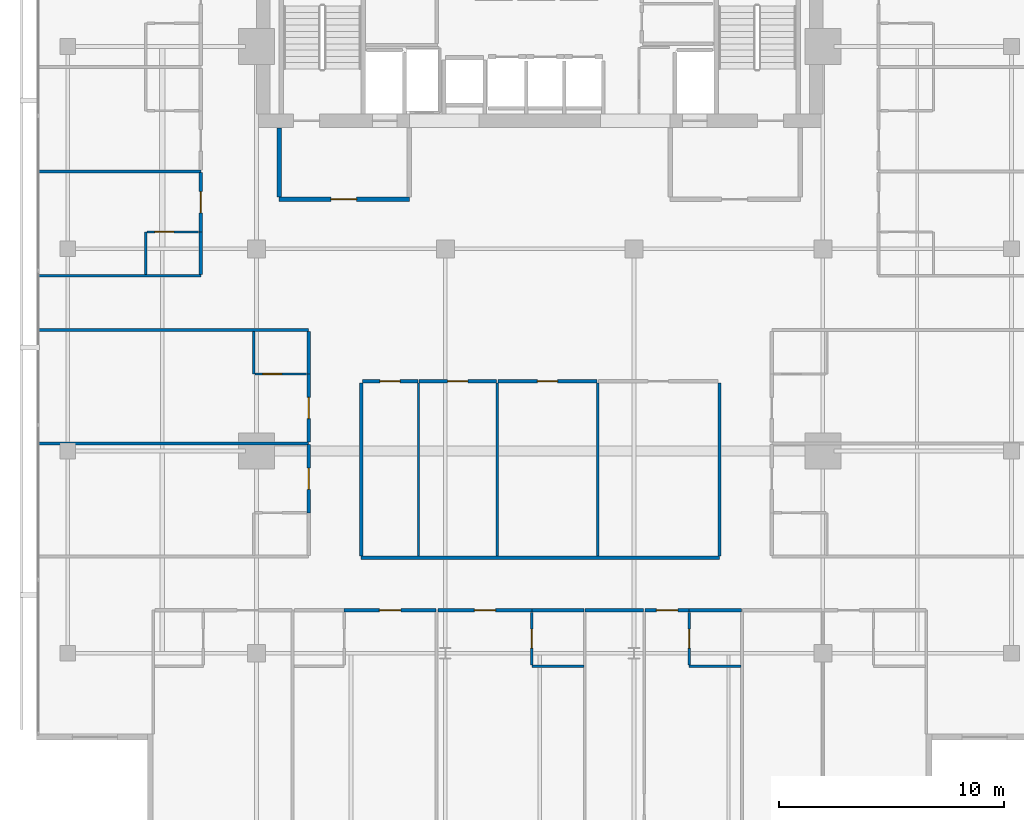
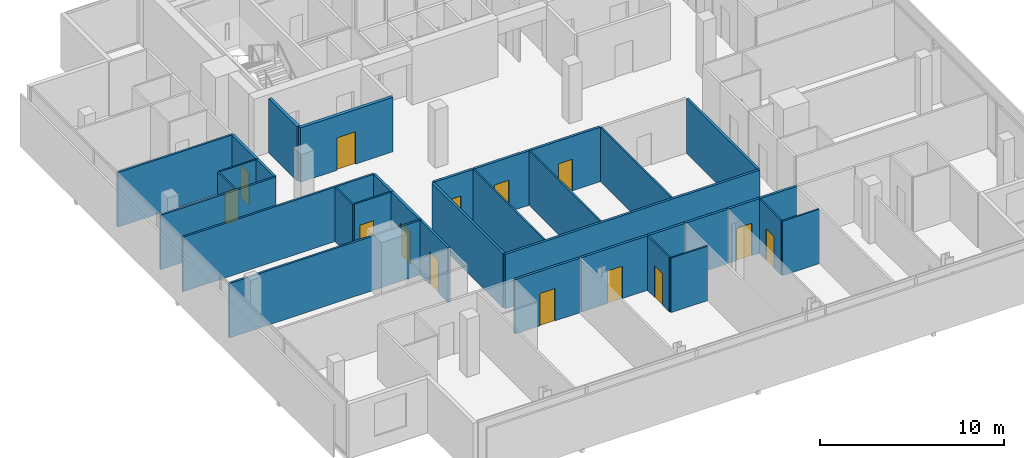
# One storey, part 20 of 26: 34 walls, 14 doors, 14 openings.
"""IFC4 building model written with IfcOpenShell, lengths in metres."""

from ifc_helpers import new_model, si_unit, direction, frame, frame_2d, origin, place, context, subcontext, project, spatial, rectangle, extrude, material, layer, layer_set, type_object, element, fill, save


model = new_model("IFC4")

# Units and contexts
model_context = context("Model", 3, precision=1e-05, world=origin(), true_north=direction((0.0, 1.0)))
body_context = subcontext(model_context, "Body", "Model", "MODEL_VIEW")
ifc_project = project(units=[si_unit("LENGTHUNIT", "METRE"), si_unit("AREAUNIT", "SQUARE_METRE"), si_unit("VOLUMEUNIT", "CUBIC_METRE"), si_unit("PLANEANGLEUNIT", "RADIAN"), si_unit("MASSUNIT", "GRAM", prefix="KILO")], contexts=[model_context])

# Site, building, storey
site_placement = place(None, origin())
site = spatial("IfcSite", under=ifc_project, at=site_placement, CompositionType="ELEMENT")
building_placement = place(site_placement, origin())
building = spatial("IfcBuilding", under=site, at=building_placement, Name="Maruvema Waterfront Hotel and Observation Tower", CompositionType="ELEMENT")
storey_placement = place(building_placement, frame((0.0, 0.0, 285.60009765625)))
storey = spatial("IfcBuildingStorey", under=building, at=storey_placement, Name="L70", CompositionType="ELEMENT", Elevation=285.60009765625)

# Walls
ifc_material_1 = material(Name="Twin-stud acoustic gypsum drywall", Category="gypsum")
ifc_layer_1 = layer(ifc_material_1, 0.14990234375, Name="Acoustic Corridor and Suite Demising Wall 150 mm")
ifc_layer_set_1 = layer_set([ifc_layer_1], Name="Twin-stud acoustic gypsum drywall")
wall_type_1 = type_object("IfcWallType", Name="Acoustic Corridor and Suite Demising Wall 150 mm", PredefinedType="PARTITIONING", material=ifc_layer_set_1)
wall_1_placement = place(storey_placement, frame((29.85009765625, 22.25, 0.0), z_axis=(0.0, 0.0, 1.0), x_axis=(1.0, 0.0, 0.0)))
element("IfcWall", 1, at=wall_1_placement, inside=storey, type_object=wall_type_1, Name="L70 L70-Z3M Back Wall 021", PredefinedType="PARTITIONING", context=body_context, shape_type="SweptSolid", body=[
    extrude(rectangle(XDim=15.949951171875, YDim=0.14990234375, at=frame_2d((7.97509765625, 0.0))), origin(), (0.0, 0.0, 1.0), 3.60986328125),
])
for number, where, z_axis, x_axis, name in (
    (2, (29.85009765625, 22.330078125, 0.0), (0.0, 0.0, 1.0), (0.0, 1.0, 0.0), "L70 L70-Z3M West Wall 022"),
    (3, (45.800048828125, 22.330078125, 0.0), (0.0, 0.0, 1.0), (0.0, 1.0, 0.0), "L70 L70-Z3M East Wall 023"),
):
    element("IfcWall", number, at=place(storey_placement, frame(where, z_axis=z_axis, x_axis=x_axis)), inside=storey, type_object=wall_type_1, Name=name, PredefinedType="PARTITIONING", context=body_context, shape_type="SweptSolid", body=[
        extrude(rectangle(XDim=7.68994140625, YDim=0.14990234375, at=frame_2d((3.844970703125, 0.0))), origin(), (0.0, 0.0, 1.0), 3.60986328125),
    ])

# Wall, opening, door
wall_2_placement = place(storey_placement, frame((29.909912109375, 30.10009765625, 0.0), z_axis=(0.0, 0.0, 1.0), x_axis=(1.0, 0.0, 0.0)))
wall_2 = element("IfcWall", 4, at=wall_2_placement, inside=storey, type_object=wall_type_1, Name="L70 L70-Z3M Front 1 024", PredefinedType="PARTITIONING", context=body_context, shape_type="SweptSolid", body=[
    extrude(rectangle(XDim=2.462158203125, YDim=0.14990234375, at=frame_2d((1.23095703125, 0.0))), origin(), (0.0, 0.0, 1.0), 3.60986328125),
])
opening_1_placement = place(wall_2_placement, frame((0.781005859375, 0.0, 0.0)))
opening_1 = element("IfcOpeningElement", 5, at=opening_1_placement, cuts=wall_2, Name="Opening DR-090", PredefinedType="OPENING", context=body_context, shape_type="SweptSolid", body=[
    extrude(rectangle(XDim=0.89990234375, YDim=2.10009765625, at=frame_2d((0.449951171875, 1.050048828125))), frame((0.0, 0.0849609375, 0.0), z_axis=(0.0, -1.0, 0.0), x_axis=(1.0, 0.0, 0.0)), (0.0, 0.0, 1.0), 0.169921875),
])
ifc_material_2 = material(Name="Solid-core lacquered timber leaf", Category="wood")
door_type_1 = type_object("IfcDoorType", Name="Accessible Toilet and Room Door 900x2100 mm", OperationType="NOTDEFINED", PredefinedType="DOOR", material=ifc_material_2)
door_1_placement = place(opening_1_placement, origin())
door_1 = element("IfcDoor", 6, at=door_1_placement, inside=storey, type_object=door_type_1, Name="L70 Horizon Lounge 1 Door", OperationType="SINGLE_SWING_RIGHT", OverallHeight=2.10009765625, OverallWidth=0.89990234375, PredefinedType="DOOR", context=body_context, shape_type="SweptSolid", body=[
    extrude(rectangle(XDim=0.89990234375, YDim=2.10009765625, at=frame_2d((0.449951171875, 1.050048828125))), frame((0.0, 0.02490234375, 0.0), z_axis=(0.0, -1.0, 0.0), x_axis=(1.0, 0.0, 0.0)), (0.0, 0.0, 1.0), 0.050048828125),
])
fill(opening_1, door_1)

wall_3_placement = place(storey_placement, frame((32.431884765625, 30.10009765625, 0.0), z_axis=(0.0, 0.0, 1.0), x_axis=(1.0, 0.0, 0.0)))
wall_3 = element("IfcWall", 7, at=wall_3_placement, inside=storey, type_object=wall_type_1, Name="L70 L70-Z3M Front 2 026", PredefinedType="PARTITIONING", context=body_context, shape_type="SweptSolid", body=[
    extrude(rectangle(XDim=3.44921875, YDim=0.14990234375, at=frame_2d((1.724609375, 0.0))), origin(), (0.0, 0.0, 1.0), 3.60986328125),
])
opening_2_placement = place(wall_3_placement, frame((1.2744140625, 0.0, 0.0)))
opening_2 = element("IfcOpeningElement", 8, at=opening_2_placement, cuts=wall_3, Name="Opening DR-090", PredefinedType="OPENING", context=body_context, shape_type="SweptSolid", body=[
    extrude(rectangle(XDim=0.89990234375, YDim=2.10009765625, at=frame_2d((0.449951171875, 1.050048828125))), frame((0.0, 0.0849609375, 0.0), z_axis=(0.0, -1.0, 0.0), x_axis=(1.0, 0.0, 0.0)), (0.0, 0.0, 1.0), 0.169921875),
])
door_2_placement = place(opening_2_placement, origin())
door_2 = element("IfcDoor", 9, at=door_2_placement, inside=storey, type_object=door_type_1, Name="L70 Horizon Lounge 2 Door", OperationType="SINGLE_SWING_LEFT", OverallHeight=2.10009765625, OverallWidth=0.89990234375, PredefinedType="DOOR", context=body_context, shape_type="SweptSolid", body=[
    extrude(rectangle(XDim=0.89990234375, YDim=2.10009765625, at=frame_2d((0.449951171875, 1.050048828125))), frame((0.0, 0.02490234375, 0.0), z_axis=(0.0, -1.0, 0.0), x_axis=(1.0, 0.0, 0.0)), (0.0, 0.0, 1.0), 0.050048828125),
])
fill(opening_2, door_2)

wall_4_placement = place(storey_placement, frame((35.94091796875, 30.10009765625, 0.0), z_axis=(0.0, 0.0, 1.0), x_axis=(1.0, 0.0, 0.0)))
wall_4 = element("IfcWall", 10, at=wall_4_placement, inside=storey, type_object=wall_type_1, Name="L70 L70-Z3M Front 3 028", PredefinedType="PARTITIONING", context=body_context, shape_type="SweptSolid", body=[
    extrude(rectangle(XDim=4.406005859375, YDim=0.14990234375, at=frame_2d((2.203125, 0.0))), origin(), (0.0, 0.0, 1.0), 3.60986328125),
])
opening_3_placement = place(wall_4_placement, frame((1.7529296875, 0.0, 0.0)))
opening_3 = element("IfcOpeningElement", 11, at=opening_3_placement, cuts=wall_4, Name="Opening DR-090", PredefinedType="OPENING", context=body_context, shape_type="SweptSolid", body=[
    extrude(rectangle(XDim=0.89990234375, YDim=2.10009765625, at=frame_2d((0.449951171875, 1.050048828125))), frame((0.0, 0.0849609375, 0.0), z_axis=(0.0, -1.0, 0.0), x_axis=(1.0, 0.0, 0.0)), (0.0, 0.0, 1.0), 0.169921875),
])
door_3_placement = place(opening_3_placement, origin())
door_3 = element("IfcDoor", 12, at=door_3_placement, inside=storey, type_object=door_type_1, Name="L70 Horizon Lounge 3 Door", OperationType="SINGLE_SWING_RIGHT", OverallHeight=2.10009765625, OverallWidth=0.89990234375, PredefinedType="DOOR", context=body_context, shape_type="SweptSolid", body=[
    extrude(rectangle(XDim=0.89990234375, YDim=2.10009765625, at=frame_2d((0.449951171875, 1.050048828125))), frame((0.0, 0.02490234375, 0.0), z_axis=(0.0, -1.0, 0.0), x_axis=(1.0, 0.0, 0.0)), (0.0, 0.0, 1.0), 0.050048828125),
])
fill(opening_3, door_3)

wall_5_placement = place(storey_placement, frame((29.10009765625, 19.919921875, 0.0), z_axis=(0.0, 0.0, 1.0), x_axis=(1.0, 0.0, 0.0)))
wall_5 = element("IfcWall", 13, at=wall_5_placement, inside=storey, type_object=wall_type_1, Name="L70 Unit L70-S2 Corridor Wall 041", PredefinedType="PARTITIONING", context=body_context, shape_type="SweptSolid", body=[
    extrude(rectangle(XDim=4.079833984375, YDim=0.14990234375, at=frame_2d((2.0400390625, 0.0))), origin(), (0.0, 0.0, 1.0), 3.60986328125),
])
opening_4_placement = place(wall_5_placement, frame((1.56494140625, 0.0, 0.0)))
opening_4 = element("IfcOpeningElement", 14, at=opening_4_placement, cuts=wall_5, Name="Opening DR-095", PredefinedType="OPENING", context=body_context, shape_type="SweptSolid", body=[
    extrude(rectangle(XDim=0.949951171875, YDim=2.14990234375, at=frame_2d((0.47509765625, 1.074951171875))), frame((0.0, 0.0849609375, 0.0), z_axis=(0.0, -1.0, 0.0), x_axis=(1.0, 0.0, 0.0)), (0.0, 0.0, 1.0), 0.169921875),
])
ifc_material_3 = material(Name="Acoustic solid-core hardwood timber leaf", Category="wood")
door_type_2 = type_object("IfcDoorType", Name="Guestroom Entrance Fire Door 950x2150 mm", OperationType="NOTDEFINED", PredefinedType="DOOR", material=ifc_material_3)
door_4_placement = place(opening_4_placement, frame((0.949951171875, 0.0, 0.0), z_axis=(0.0, 0.0, 1.0), x_axis=(-1.0, 0.0, 0.0)))
door_4 = element("IfcDoor", 15, at=door_4_placement, inside=storey, type_object=door_type_2, Name="L70 Unit L70-S2 Entrance Door", OperationType="SINGLE_SWING_LEFT", OverallHeight=2.14990234375, OverallWidth=0.949951171875, PredefinedType="DOOR", context=body_context, shape_type="SweptSolid", body=[
    extrude(rectangle(XDim=0.949951171875, YDim=2.14990234375, at=frame_2d((0.47509765625, 1.074951171875))), frame((0.0, 0.02490234375, 0.0), z_axis=(0.0, -1.0, 0.0), x_axis=(1.0, 0.0, 0.0)), (0.0, 0.0, 1.0), 0.050048828125),
])
fill(opening_4, door_4)

# Wall
wall_6_placement = place(storey_placement, frame((37.449951171875, 19.919921875, 0.0), z_axis=(0.0, 0.0, 1.0), x_axis=(1.0, 0.0, 0.0)))
element("IfcWall", 16, at=wall_6_placement, inside=storey, type_object=wall_type_1, Name="L70 Bath L70-S3 Back Wall 043", PredefinedType="PARTITIONING", context=body_context, shape_type="SweptSolid", body=[
    extrude(rectangle(XDim=2.330078125, YDim=0.14990234375, at=frame_2d((1.1650390625, 0.0))), origin(), (0.0, 0.0, 1.0), 3.60986328125),
])

# Wall, opening, door
wall_7_placement = place(storey_placement, frame((33.280029296875, 19.919921875, 0.0), z_axis=(0.0, 0.0, 1.0), x_axis=(1.0, 0.0, 0.0)))
wall_7 = element("IfcWall", 17, at=wall_7_placement, inside=storey, type_object=wall_type_1, Name="L70 Unit L70-S3 Corridor Wall 046", PredefinedType="PARTITIONING", context=body_context, shape_type="SweptSolid", body=[
    extrude(rectangle(XDim=4.169921875, YDim=0.14990234375, at=frame_2d((2.0849609375, 0.0))), origin(), (0.0, 0.0, 1.0), 3.60986328125),
])
opening_5_placement = place(wall_7_placement, frame((1.610107421875, 0.0, 0.0)))
opening_5 = element("IfcOpeningElement", 18, at=opening_5_placement, cuts=wall_7, Name="Opening DR-095", PredefinedType="OPENING", context=body_context, shape_type="SweptSolid", body=[
    extrude(rectangle(XDim=0.949951171875, YDim=2.14990234375, at=frame_2d((0.47509765625, 1.074951171875))), frame((0.0, 0.0849609375, 0.0), z_axis=(0.0, -1.0, 0.0), x_axis=(1.0, 0.0, 0.0)), (0.0, 0.0, 1.0), 0.169921875),
])
door_5_placement = place(opening_5_placement, frame((0.949951171875, 0.0, 0.0), z_axis=(0.0, 0.0, 1.0), x_axis=(-1.0, 0.0, 0.0)))
door_5 = element("IfcDoor", 19, at=door_5_placement, inside=storey, type_object=door_type_2, Name="L70 Unit L70-S3 Entrance Door", OperationType="SINGLE_SWING_LEFT", OverallHeight=2.14990234375, OverallWidth=0.949951171875, PredefinedType="DOOR", context=body_context, shape_type="SweptSolid", body=[
    extrude(rectangle(XDim=0.949951171875, YDim=2.14990234375, at=frame_2d((0.47509765625, 1.074951171875))), frame((0.0, 0.02490234375, 0.0), z_axis=(0.0, -1.0, 0.0), x_axis=(1.0, 0.0, 0.0)), (0.0, 0.0, 1.0), 0.050048828125),
])
fill(opening_5, door_5)

# Walls
wall_8_placement = place(storey_placement, frame((44.449951171875, 19.919921875, 0.0), z_axis=(0.0, 0.0, 1.0), x_axis=(1.0, 0.0, 0.0)))
element("IfcWall", 20, at=wall_8_placement, inside=storey, type_object=wall_type_1, Name="L70 Bath L70-S4 Back Wall 048", PredefinedType="PARTITIONING", context=body_context, shape_type="SweptSolid", body=[
    extrude(rectangle(XDim=2.330078125, YDim=0.14990234375, at=frame_2d((1.1650390625, 0.0))), origin(), (0.0, 0.0, 1.0), 3.60986328125),
])
wall_9_placement = place(storey_placement, frame((39.820068359375, 19.919921875, 0.0), z_axis=(0.0, 0.0, 1.0), x_axis=(1.0, 0.0, 0.0)))
element("IfcWall", 21, at=wall_9_placement, inside=storey, type_object=wall_type_1, Name="L70 Bedroom L70-S4 Back Wall 051", PredefinedType="PARTITIONING", context=body_context, shape_type="SweptSolid", body=[
    extrude(rectangle(XDim=2.58984375, YDim=0.14990234375, at=frame_2d((1.294921875, 0.0))), origin(), (0.0, 0.0, 1.0), 3.60986328125),
])

# Wall, opening, door
wall_10_placement = place(storey_placement, frame((42.489990234375, 19.919921875, 0.0), z_axis=(0.0, 0.0, 1.0), x_axis=(1.0, 0.0, 0.0)))
wall_10 = element("IfcWall", 22, at=wall_10_placement, inside=storey, type_object=wall_type_1, Name="L70 Unit L70-S4 Corridor Wall 052", PredefinedType="PARTITIONING", context=body_context, shape_type="SweptSolid", body=[
    extrude(rectangle(XDim=1.9599609375, YDim=0.14990234375, at=frame_2d((0.97998046875, 0.0))), origin(), (0.0, 0.0, 1.0), 3.60986328125),
])
opening_6_placement = place(wall_10_placement, frame((0.5048828125, 0.0, 0.0)))
opening_6 = element("IfcOpeningElement", 23, at=opening_6_placement, cuts=wall_10, Name="Opening DR-095", PredefinedType="OPENING", context=body_context, shape_type="SweptSolid", body=[
    extrude(rectangle(XDim=0.949951171875, YDim=2.14990234375, at=frame_2d((0.47509765625, 1.074951171875))), frame((0.0, 0.0849609375, 0.0), z_axis=(0.0, -1.0, 0.0), x_axis=(1.0, 0.0, 0.0)), (0.0, 0.0, 1.0), 0.169921875),
])
door_6_placement = place(opening_6_placement, frame((0.949951171875, 0.0, 0.0), z_axis=(0.0, 0.0, 1.0), x_axis=(-1.0, 0.0, 0.0)))
door_6 = element("IfcDoor", 24, at=door_6_placement, inside=storey, type_object=door_type_2, Name="L70 Unit L70-S4 Entrance Door", OperationType="SINGLE_SWING_LEFT", OverallHeight=2.14990234375, OverallWidth=0.949951171875, PredefinedType="DOOR", context=body_context, shape_type="SweptSolid", body=[
    extrude(rectangle(XDim=0.949951171875, YDim=2.14990234375, at=frame_2d((0.47509765625, 1.074951171875))), frame((0.0, 0.02490234375, 0.0), z_axis=(0.0, -1.0, 0.0), x_axis=(1.0, 0.0, 0.0)), (0.0, 0.0, 1.0), 0.050048828125),
])
fill(opening_6, door_6)

wall_11_placement = place(storey_placement, frame((27.52001953125, 24.25, 0.0), z_axis=(0.0, 0.0, 1.0), x_axis=(0.0, 1.0, 0.0)))
wall_11 = element("IfcWall", 25, at=wall_11_placement, inside=storey, type_object=wall_type_1, Name="L70 Room L70-W1 Corridor Wall 066", PredefinedType="PARTITIONING", context=body_context, shape_type="SweptSolid", body=[
    extrude(rectangle(XDim=3.030029296875, YDim=0.14990234375, at=frame_2d((1.51513671875, 0.0))), origin(), (0.0, 0.0, 1.0), 3.60986328125),
])
opening_7_placement = place(wall_11_placement, frame((1.0400390625, 0.0, 0.0)))
opening_7 = element("IfcOpeningElement", 26, at=opening_7_placement, cuts=wall_11, Name="Opening DR-095", PredefinedType="OPENING", context=body_context, shape_type="SweptSolid", body=[
    extrude(rectangle(XDim=0.949951171875, YDim=2.14990234375, at=frame_2d((0.47509765625, 1.074951171875))), frame((0.0, 0.0849609375, 0.0), z_axis=(0.0, -1.0, 0.0), x_axis=(1.0, 0.0, 0.0)), (0.0, 0.0, 1.0), 0.169921875),
])
door_7_placement = place(opening_7_placement, origin())
door_7 = element("IfcDoor", 27, at=door_7_placement, inside=storey, type_object=door_type_2, Name="L70 Room L70-W1 Entrance Door", OperationType="SINGLE_SWING_LEFT", OverallHeight=2.14990234375, OverallWidth=0.949951171875, PredefinedType="DOOR", context=body_context, shape_type="SweptSolid", body=[
    extrude(rectangle(XDim=0.949951171875, YDim=2.14990234375, at=frame_2d((0.47509765625, 1.074951171875))), frame((0.0, 0.02490234375, 0.0), z_axis=(0.0, -1.0, 0.0), x_axis=(1.0, 0.0, 0.0)), (0.0, 0.0, 1.0), 0.050048828125),
])
fill(opening_7, door_7)

wall_12_placement = place(storey_placement, frame((27.52001953125, 27.39990234375, 0.0), z_axis=(0.0, 0.0, 1.0), x_axis=(0.0, 1.0, 0.0)))
wall_12 = element("IfcWall", 28, at=wall_12_placement, inside=storey, type_object=wall_type_1, Name="L70 Room L70-W2 Corridor Wall 075", PredefinedType="PARTITIONING", context=body_context, shape_type="SweptSolid", body=[
    extrude(rectangle(XDim=3.030029296875, YDim=0.14990234375, at=frame_2d((1.51513671875, 0.0))), origin(), (0.0, 0.0, 1.0), 3.60986328125),
])
opening_8_placement = place(wall_12_placement, frame((1.0400390625, 0.0, 0.0)))
opening_8 = element("IfcOpeningElement", 29, at=opening_8_placement, cuts=wall_12, Name="Opening DR-095", PredefinedType="OPENING", context=body_context, shape_type="SweptSolid", body=[
    extrude(rectangle(XDim=0.949951171875, YDim=2.14990234375, at=frame_2d((0.47509765625, 1.074951171875))), frame((0.0, 0.0849609375, 0.0), z_axis=(0.0, -1.0, 0.0), x_axis=(1.0, 0.0, 0.0)), (0.0, 0.0, 1.0), 0.169921875),
])
door_8_placement = place(opening_8_placement, origin())
door_8 = element("IfcDoor", 30, at=door_8_placement, inside=storey, type_object=door_type_2, Name="L70 Room L70-W2 Entrance Door", OperationType="SINGLE_SWING_LEFT", OverallHeight=2.14990234375, OverallWidth=0.949951171875, PredefinedType="DOOR", context=body_context, shape_type="SweptSolid", body=[
    extrude(rectangle(XDim=0.949951171875, YDim=2.14990234375, at=frame_2d((0.47509765625, 1.074951171875))), frame((0.0, 0.02490234375, 0.0), z_axis=(0.0, -1.0, 0.0), x_axis=(1.0, 0.0, 0.0)), (0.0, 0.0, 1.0), 0.050048828125),
])
fill(opening_8, door_8)

# Walls
wall_13_placement = place(storey_placement, frame((27.52001953125, 30.429931640625, 0.0), z_axis=(0.0, 0.0, 1.0), x_axis=(0.0, 1.0, 0.0)))
element("IfcWall", 31, at=wall_13_placement, inside=storey, type_object=wall_type_1, Name="L70 Bath L70-W2 Wall 076", PredefinedType="PARTITIONING", context=body_context, shape_type="SweptSolid", body=[
    extrude(rectangle(XDim=1.89013671875, YDim=0.14990234375, at=frame_2d((0.945068359375, 0.0))), origin(), (0.0, 0.0, 1.0), 3.60986328125),
])
wall_14_placement = place(storey_placement, frame((22.719970703125, 34.860107421875, 0.0), z_axis=(0.0, 0.0, 1.0), x_axis=(0.0, 1.0, 0.0)))
element("IfcWall", 32, at=wall_14_placement, inside=storey, type_object=wall_type_1, Name="L70 Bath L70-NW1 Wall 087", PredefinedType="PARTITIONING", context=body_context, shape_type="SweptSolid", body=[
    extrude(rectangle(XDim=1.889892578125, YDim=0.14990234375, at=frame_2d((0.94482421875, 0.0))), origin(), (0.0, 0.0, 1.0), 3.60986328125),
])

# Wall, opening, door
wall_15_placement = place(storey_placement, frame((22.719970703125, 36.75, 0.0), z_axis=(0.0, 0.0, 1.0), x_axis=(0.0, 1.0, 0.0)))
wall_15 = element("IfcWall", 33, at=wall_15_placement, inside=storey, type_object=wall_type_1, Name="L70 Room L70-NW1 Corridor Wall 088", PredefinedType="PARTITIONING", context=body_context, shape_type="SweptSolid", body=[
    extrude(rectangle(XDim=2.6357421875, YDim=0.14990234375, at=frame_2d((1.31787109375, 0.0))), origin(), (0.0, 0.0, 1.0), 3.60986328125),
])
opening_9_placement = place(wall_15_placement, frame((0.843017578125, 0.0, 0.0)))
opening_9 = element("IfcOpeningElement", 34, at=opening_9_placement, cuts=wall_15, Name="Opening DR-095", PredefinedType="OPENING", context=body_context, shape_type="SweptSolid", body=[
    extrude(rectangle(XDim=0.949951171875, YDim=2.14990234375, at=frame_2d((0.47509765625, 1.074951171875))), frame((0.0, 0.0849609375, 0.0), z_axis=(0.0, -1.0, 0.0), x_axis=(1.0, 0.0, 0.0)), (0.0, 0.0, 1.0), 0.169921875),
])
door_9_placement = place(opening_9_placement, origin())
door_9 = element("IfcDoor", 35, at=door_9_placement, inside=storey, type_object=door_type_2, Name="L70 Room L70-NW1 Entrance Door", OperationType="SINGLE_SWING_LEFT", OverallHeight=2.14990234375, OverallWidth=0.949951171875, PredefinedType="DOOR", context=body_context, shape_type="SweptSolid", body=[
    extrude(rectangle(XDim=0.949951171875, YDim=2.14990234375, at=frame_2d((0.47509765625, 1.074951171875))), frame((0.0, 0.02490234375, 0.0), z_axis=(0.0, -1.0, 0.0), x_axis=(1.0, 0.0, 0.0)), (0.0, 0.0, 1.0), 0.050048828125),
])
fill(opening_9, door_9)

# Walls
ifc_material_4 = material(Name="Moisture-resistant cement-board drywall", Category="gypsum")
ifc_layer_2 = layer(ifc_material_4, 0.10009765625, Name="En-Suite Moisture-Resistant Partition 100 mm")
ifc_layer_set_2 = layer_set([ifc_layer_2], Name="Moisture-resistant cement-board drywall")
wall_type_2 = type_object("IfcWallType", Name="En-Suite Moisture-Resistant Partition 100 mm", PredefinedType="PARTITIONING", material=ifc_layer_set_2)
for number, where, z_axis, x_axis, name in (
    (36, (32.402099609375, 22.330078125, 0.0), (0.0, 0.0, 1.0), (0.0, 1.0, 0.0), "L70 L70-Z3M Split 1 025"),
    (37, (35.910888671875, 22.330078125, 0.0), (0.0, 0.0, 1.0), (0.0, 1.0, 0.0), "L70 L70-Z3M Split 2 027"),
    (38, (40.376953125, 22.330078125, 0.0), (0.0, 0.0, 1.0), (0.0, 1.0, 0.0), "L70 L70-Z3M Split 3 029"),
):
    element("IfcWall", number, at=place(storey_placement, frame(where, z_axis=z_axis, x_axis=x_axis)), inside=storey, type_object=wall_type_2, Name=name, PredefinedType="PARTITIONING", context=body_context, shape_type="SweptSolid", body=[
        extrude(rectangle(XDim=7.68994140625, YDim=0.10009765625, at=frame_2d((3.844970703125, 0.0))), origin(), (0.0, 0.0, 1.0), 3.60986328125),
    ])
wall_16_placement = place(storey_placement, frame((37.449951171875, 17.419921875, 0.0), z_axis=(0.0, 0.0, 1.0), x_axis=(1.0, 0.0, 0.0)))
element("IfcWall", 39, at=wall_16_placement, inside=storey, type_object=wall_type_2, Name="L70 En-Suite L70-S3 South 044", PredefinedType="PARTITIONING", context=body_context, shape_type="SweptSolid", body=[
    extrude(rectangle(XDim=2.31005859375, YDim=0.10009765625, at=frame_2d((1.155029296875, 0.0))), origin(), (0.0, 0.0, 1.0), 3.60986328125),
])

# Wall, opening, door
wall_17_placement = place(storey_placement, frame((37.449951171875, 17.47998046875, 0.0), z_axis=(0.0, 0.0, 1.0), x_axis=(0.0, 1.0, 0.0)))
wall_17 = element("IfcWall", 40, at=wall_17_placement, inside=storey, type_object=wall_type_2, Name="L70 En-Suite L70-S3 West 045", PredefinedType="PARTITIONING", context=body_context, shape_type="SweptSolid", body=[
    extrude(rectangle(XDim=2.340087890625, YDim=0.10009765625, at=frame_2d((1.169921875, 0.0))), origin(), (0.0, 0.0, 1.0), 3.60986328125),
])
opening_10_placement = place(wall_17_placement, frame((0.7451171875, 0.0, 0.0)))
opening_10 = element("IfcOpeningElement", 41, at=opening_10_placement, cuts=wall_17, Name="Opening DR-085", PredefinedType="OPENING", context=body_context, shape_type="SweptSolid", body=[
    extrude(rectangle(XDim=0.85009765625, YDim=2.10009765625, at=frame_2d((0.425048828125, 1.050048828125))), frame((0.0, 0.06005859375, 0.0), z_axis=(0.0, -1.0, 0.0), x_axis=(1.0, 0.0, 0.0)), (0.0, 0.0, 1.0), 0.1201171875),
])
ifc_material_5 = material(Name="Moisture-resistant solid timber leaf", Category="wood")
door_type_3 = type_object("IfcDoorType", Name="En-Suite Bathroom Door 850x2100 mm", OperationType="NOTDEFINED", PredefinedType="DOOR", material=ifc_material_5)
door_10_placement = place(opening_10_placement, origin())
door_10 = element("IfcDoor", 42, at=door_10_placement, inside=storey, type_object=door_type_3, Name="L70 En-Suite L70-S3 Door", OperationType="SINGLE_SWING_RIGHT", OverallHeight=2.10009765625, OverallWidth=0.85009765625, PredefinedType="DOOR", context=body_context, shape_type="SweptSolid", body=[
    extrude(rectangle(XDim=0.85009765625, YDim=2.10009765625, at=frame_2d((0.425048828125, 1.050048828125))), frame((0.0, 0.02490234375, 0.0), z_axis=(0.0, -1.0, 0.0), x_axis=(1.0, 0.0, 0.0)), (0.0, 0.0, 1.0), 0.050048828125),
])
fill(opening_10, door_10)

# Wall
wall_18_placement = place(storey_placement, frame((44.449951171875, 17.419921875, 0.0), z_axis=(0.0, 0.0, 1.0), x_axis=(1.0, 0.0, 0.0)))
element("IfcWall", 43, at=wall_18_placement, inside=storey, type_object=wall_type_2, Name="L70 En-Suite L70-S4 South 049", PredefinedType="PARTITIONING", context=body_context, shape_type="SweptSolid", body=[
    extrude(rectangle(XDim=2.31005859375, YDim=0.10009765625, at=frame_2d((1.155029296875, 0.0))), origin(), (0.0, 0.0, 1.0), 3.60986328125),
])

# Wall, opening, door
wall_19_placement = place(storey_placement, frame((44.449951171875, 17.47998046875, 0.0), z_axis=(0.0, 0.0, 1.0), x_axis=(0.0, 1.0, 0.0)))
wall_19 = element("IfcWall", 44, at=wall_19_placement, inside=storey, type_object=wall_type_2, Name="L70 En-Suite L70-S4 West 050", PredefinedType="PARTITIONING", context=body_context, shape_type="SweptSolid", body=[
    extrude(rectangle(XDim=2.340087890625, YDim=0.10009765625, at=frame_2d((1.169921875, 0.0))), origin(), (0.0, 0.0, 1.0), 3.60986328125),
])
opening_11_placement = place(wall_19_placement, frame((0.7451171875, 0.0, 0.0)))
opening_11 = element("IfcOpeningElement", 45, at=opening_11_placement, cuts=wall_19, Name="Opening DR-085", PredefinedType="OPENING", context=body_context, shape_type="SweptSolid", body=[
    extrude(rectangle(XDim=0.85009765625, YDim=2.10009765625, at=frame_2d((0.425048828125, 1.050048828125))), frame((0.0, 0.06005859375, 0.0), z_axis=(0.0, -1.0, 0.0), x_axis=(1.0, 0.0, 0.0)), (0.0, 0.0, 1.0), 0.1201171875),
])
door_11_placement = place(opening_11_placement, origin())
door_11 = element("IfcDoor", 46, at=door_11_placement, inside=storey, type_object=door_type_3, Name="L70 En-Suite L70-S4 Door", OperationType="SINGLE_SWING_RIGHT", OverallHeight=2.10009765625, OverallWidth=0.85009765625, PredefinedType="DOOR", context=body_context, shape_type="SweptSolid", body=[
    extrude(rectangle(XDim=0.85009765625, YDim=2.10009765625, at=frame_2d((0.425048828125, 1.050048828125))), frame((0.0, 0.02490234375, 0.0), z_axis=(0.0, -1.0, 0.0), x_axis=(1.0, 0.0, 0.0)), (0.0, 0.0, 1.0), 0.050048828125),
])
fill(opening_11, door_11)

# Wall
wall_20_placement = place(storey_placement, frame((25.070068359375, 30.429931640625, 0.0), z_axis=(0.0, 0.0, 1.0), x_axis=(0.0, 1.0, 0.0)))
element("IfcWall", 47, at=wall_20_placement, inside=storey, type_object=wall_type_2, Name="L70 En-Suite L70-W2 W 077", PredefinedType="PARTITIONING", context=body_context, shape_type="SweptSolid", body=[
    extrude(rectangle(XDim=1.89013671875, YDim=0.10009765625, at=frame_2d((0.945068359375, 0.0))), origin(), (0.0, 0.0, 1.0), 3.60986328125),
])

# Wall, opening, door
wall_21_placement = place(storey_placement, frame((25.1201171875, 30.429931640625, 0.0), z_axis=(0.0, 0.0, 1.0), x_axis=(1.0, 0.0, 0.0)))
wall_21 = element("IfcWall", 48, at=wall_21_placement, inside=storey, type_object=wall_type_2, Name="L70 En-Suite L70-W2 S 078", PredefinedType="PARTITIONING", context=body_context, shape_type="SweptSolid", body=[
    extrude(rectangle(XDim=2.2998046875, YDim=0.10009765625, at=frame_2d((1.14990234375, 0.0))), origin(), (0.0, 0.0, 1.0), 3.60986328125),
])
opening_12_placement = place(wall_21_placement, frame((0.35009765625, 0.0, 0.0)))
opening_12 = element("IfcOpeningElement", 49, at=opening_12_placement, cuts=wall_21, Name="Opening DR-085", PredefinedType="OPENING", context=body_context, shape_type="SweptSolid", body=[
    extrude(rectangle(XDim=0.85009765625, YDim=2.10009765625, at=frame_2d((0.425048828125, 1.050048828125))), frame((0.0, 0.06005859375, 0.0), z_axis=(0.0, -1.0, 0.0), x_axis=(1.0, 0.0, 0.0)), (0.0, 0.0, 1.0), 0.1201171875),
])
door_12_placement = place(opening_12_placement, frame((0.85009765625, 0.0, 0.0), z_axis=(0.0, 0.0, 1.0), x_axis=(-1.0, 0.0, 0.0)))
door_12 = element("IfcDoor", 50, at=door_12_placement, inside=storey, type_object=door_type_3, Name="L70 En-Suite L70-W2 Door", OperationType="SINGLE_SWING_RIGHT", OverallHeight=2.10009765625, OverallWidth=0.85009765625, PredefinedType="DOOR", context=body_context, shape_type="SweptSolid", body=[
    extrude(rectangle(XDim=0.85009765625, YDim=2.10009765625, at=frame_2d((0.425048828125, 1.050048828125))), frame((0.0, 0.02490234375, 0.0), z_axis=(0.0, -1.0, 0.0), x_axis=(1.0, 0.0, 0.0)), (0.0, 0.0, 1.0), 0.050048828125),
])
fill(opening_12, door_12)

# Wall
wall_22_placement = place(storey_placement, frame((20.27001953125, 34.860107421875, 0.0), z_axis=(0.0, 0.0, 1.0), x_axis=(0.0, 1.0, 0.0)))
element("IfcWall", 51, at=wall_22_placement, inside=storey, type_object=wall_type_2, Name="L70 En-Suite L70-NW1 W 089", PredefinedType="PARTITIONING", context=body_context, shape_type="SweptSolid", body=[
    extrude(rectangle(XDim=1.889892578125, YDim=0.10009765625, at=frame_2d((0.94482421875, 0.0))), origin(), (0.0, 0.0, 1.0), 3.60986328125),
])

# Wall, opening, door
wall_23_placement = place(storey_placement, frame((20.320068359375, 36.75, 0.0), z_axis=(0.0, 0.0, 1.0), x_axis=(1.0, 0.0, 0.0)))
wall_23 = element("IfcWall", 52, at=wall_23_placement, inside=storey, type_object=wall_type_2, Name="L70 En-Suite L70-NW1 N 090", PredefinedType="PARTITIONING", context=body_context, shape_type="SweptSolid", body=[
    extrude(rectangle(XDim=2.300048828125, YDim=0.10009765625, at=frame_2d((1.14990234375, 0.0))), origin(), (0.0, 0.0, 1.0), 3.60986328125),
])
opening_13_placement = place(wall_23_placement, frame((0.35009765625, 0.0, 0.0)))
opening_13 = element("IfcOpeningElement", 53, at=opening_13_placement, cuts=wall_23, Name="Opening DR-085", PredefinedType="OPENING", context=body_context, shape_type="SweptSolid", body=[
    extrude(rectangle(XDim=0.85009765625, YDim=2.10009765625, at=frame_2d((0.425048828125, 1.050048828125))), frame((0.0, 0.06005859375, 0.0), z_axis=(0.0, -1.0, 0.0), x_axis=(1.0, 0.0, 0.0)), (0.0, 0.0, 1.0), 0.1201171875),
])
door_13_placement = place(opening_13_placement, origin())
door_13 = element("IfcDoor", 54, at=door_13_placement, inside=storey, type_object=door_type_3, Name="L70 En-Suite L70-NW1 Door", OperationType="SINGLE_SWING_RIGHT", OverallHeight=2.10009765625, OverallWidth=0.85009765625, PredefinedType="DOOR", context=body_context, shape_type="SweptSolid", body=[
    extrude(rectangle(XDim=0.85009765625, YDim=2.10009765625, at=frame_2d((0.425048828125, 1.050048828125))), frame((0.0, 0.02490234375, 0.0), z_axis=(0.0, -1.0, 0.0), x_axis=(1.0, 0.0, 0.0)), (0.0, 0.0, 1.0), 0.050048828125),
])
fill(opening_13, door_13)

ifc_material_6 = material(Name="Autoclaved cellular concrete blockwork", Category="masonry")
ifc_layer_3 = layer(ifc_material_6, 0.199951171875, Name="Fire Compartment Masonry Wall 200 mm")
ifc_layer_set_3 = layer_set([ifc_layer_3], Name="Autoclaved cellular concrete blockwork")
wall_type_3 = type_object("IfcWallType", Name="Fire Compartment Masonry Wall 200 mm", PredefinedType="PARTITIONING", material=ifc_layer_set_3)
wall_24_placement = place(storey_placement, frame((26.199951171875, 38.199951171875, 0.0), z_axis=(0.0, 0.0, 1.0), x_axis=(1.0, 0.0, 0.0)))
wall_24 = element("IfcWall", 55, at=wall_24_placement, inside=storey, type_object=wall_type_3, Name="L70 FFL West South Wall 001", PredefinedType="PARTITIONING", context=body_context, shape_type="SweptSolid", body=[
    extrude(rectangle(XDim=5.800048828125, YDim=0.199951171875, at=frame_2d((2.89990234375, 0.0))), origin(), (0.0, 0.0, 1.0), 3.60986328125),
])
opening_14_placement = place(wall_24_placement, frame((2.300048828125, 0.0, 0.0)))
opening_14 = element("IfcOpeningElement", 56, at=opening_14_placement, cuts=wall_24, Name="Opening FD-115", PredefinedType="OPENING", context=body_context, shape_type="SweptSolid", body=[
    extrude(rectangle(XDim=1.14990234375, YDim=2.14990234375, at=frame_2d((0.574951171875, 1.074951171875))), frame((0.0, 0.10986328125, 0.0), z_axis=(0.0, -1.0, 0.0), x_axis=(1.0, 0.0, 0.0)), (0.0, 0.0, 1.0), 0.219970703125),
])
ifc_material_7 = material(Name="Fire-rated galvanised steel and vision glass", Category="steel")
door_type_4 = type_object("IfcDoorType", Name="Firefighting Lobby Fire Door 1150x2150 mm", OperationType="NOTDEFINED", PredefinedType="DOOR", material=ifc_material_7)
door_14_placement = place(opening_14_placement, frame((1.14990234375, 0.0, 0.0), z_axis=(0.0, 0.0, 1.0), x_axis=(-1.0, 0.0, 0.0)))
door_14 = element("IfcDoor", 57, at=door_14_placement, inside=storey, type_object=door_type_4, Name="L70 Firefighting Lobby West Door", OperationType="SINGLE_SWING_RIGHT", OverallHeight=2.14990234375, OverallWidth=1.14990234375, PredefinedType="DOOR", context=body_context, shape_type="SweptSolid", body=[
    extrude(rectangle(XDim=1.14990234375, YDim=2.14990234375, at=frame_2d((0.574951171875, 1.074951171875))), frame((0.0, 0.02490234375, 0.0), z_axis=(0.0, -1.0, 0.0), x_axis=(1.0, 0.0, 0.0)), (0.0, 0.0, 1.0), 0.050048828125),
])
fill(opening_14, door_14)

# Walls
wall_25_placement = place(storey_placement, frame((26.199951171875, 38.31005859375, 0.0), z_axis=(0.0, 0.0, 1.0), x_axis=(0.0, 1.0, 0.0)))
element("IfcWall", 58, at=wall_25_placement, inside=storey, type_object=wall_type_3, Name="L70 FFL West West Wall 002", PredefinedType="PARTITIONING", context=body_context, shape_type="SweptSolid", body=[
    extrude(rectangle(XDim=3.06982421875, YDim=0.199951171875, at=frame_2d((1.534912109375, 0.0))), origin(), (0.0, 0.0, 1.0), 3.60986328125),
])
ifc_material_8 = material(Name="Acoustic gypsum plasterboard drywall", Category="gypsum")
ifc_layer_4 = layer(ifc_material_8, 0.125, Name="Guestroom Acoustic Demising Wall 125 mm")
ifc_layer_set_4 = layer_set([ifc_layer_4], Name="Acoustic gypsum plasterboard drywall")
wall_type_4 = type_object("IfcWallType", Name="Guestroom Acoustic Demising Wall 125 mm", PredefinedType="PARTITIONING", material=ifc_layer_set_4)
for number, where, z_axis, x_axis, name in (
    (59, (15.5, 32.3798828125, 0.0), (0.0, 0.0, 1.0), (1.0, 0.0, 0.0), "L70 Z3 W Top End 063"),
    (60, (15.5, 27.340087890625, 0.0), (0.0, 0.0, 1.0), (1.0, 0.0, 0.0), "L70 Z3 W Demising 2 073"),
):
    element("IfcWall", number, at=place(storey_placement, frame(where, z_axis=z_axis, x_axis=x_axis)), inside=storey, type_object=wall_type_4, Name=name, PredefinedType="PARTITIONING", context=body_context, shape_type="SweptSolid", body=[
        extrude(rectangle(XDim=12.02001953125, YDim=0.125, at=frame_2d((6.010009765625, 0.0))), origin(), (0.0, 0.0, 1.0), 3.60986328125),
    ])
for number, where, z_axis, x_axis, name in (
    (61, (15.5, 34.800048828125, 0.0), (0.0, 0.0, 1.0), (1.0, 0.0, 0.0), "L70 Z3 NW Bot End 083"),
    (62, (15.5, 39.44580078125, 0.0), (0.0, 0.0, 1.0), (1.0, 0.0, 0.0), "L70 Z3 NW Demising 2 095"),
):
    element("IfcWall", number, at=place(storey_placement, frame(where, z_axis=z_axis, x_axis=x_axis)), inside=storey, type_object=wall_type_4, Name=name, PredefinedType="PARTITIONING", context=body_context, shape_type="SweptSolid", body=[
        extrude(rectangle(XDim=7.219970703125, YDim=0.125, at=frame_2d((3.60986328125, 0.0))), origin(), (0.0, 0.0, 1.0), 3.60986328125),
    ])

save(model, "model.ifc")
